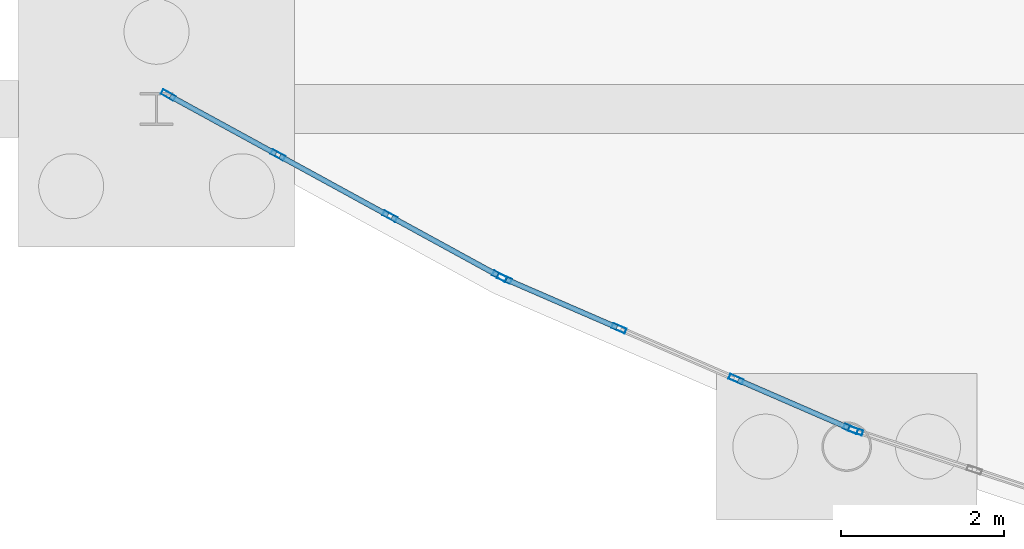
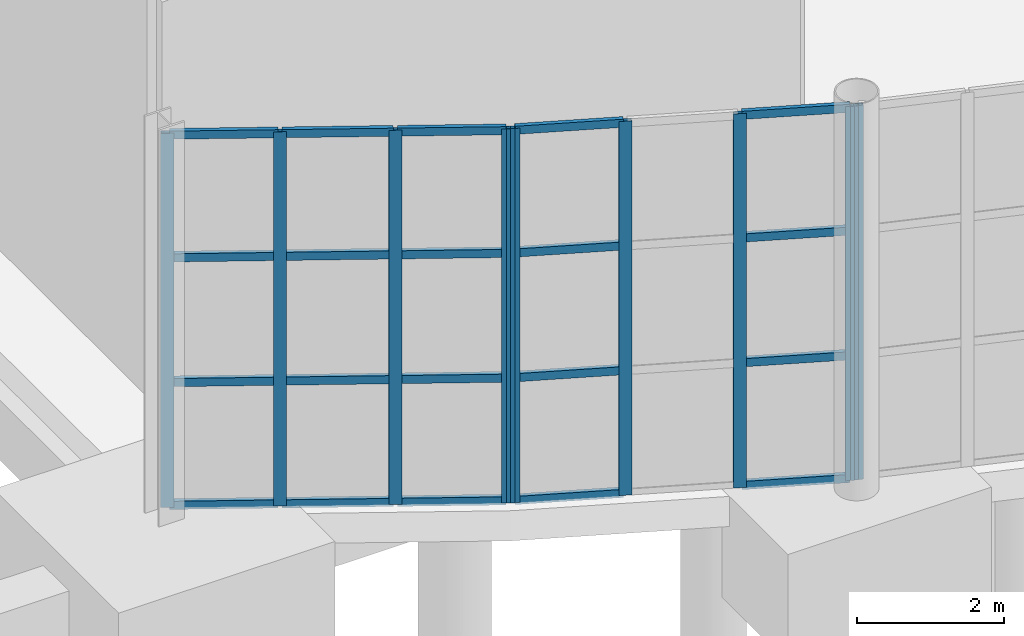
# One storey, part 40 of 115: 29 members, 3 elements without a shape of their own.
"""IFC4 building model written with IfcOpenShell, lengths in metres."""

from ifc_helpers import new_model, si_unit, direction, frame, origin, origin_2d, place, context, subcontext, project, spatial, hollow_rectangle, extrude, material, layer, layer_set, material_profile, profile_set, type_object, element, aggregate, save


model = new_model("IFC4")

# Units and contexts
model_context = context("Model", 3, precision=1e-05, world=origin(), true_north=direction((0.0, 1.0)))
body_context = subcontext(model_context, "Body", "Model", "MODEL_VIEW")
ifc_project = project(units=[si_unit("LENGTHUNIT", "METRE"), si_unit("AREAUNIT", "SQUARE_METRE"), si_unit("VOLUMEUNIT", "CUBIC_METRE"), si_unit("PLANEANGLEUNIT", "RADIAN"), si_unit("MASSUNIT", "GRAM", prefix="KILO")], contexts=[model_context])

# Site, building, storey
site_placement = place(None, origin())
site = spatial("IfcSite", under=ifc_project, at=site_placement, CompositionType="ELEMENT")
building_placement = place(site_placement, origin())
building = spatial("IfcBuilding", under=site, at=building_placement, Name="Tamarisk Ironworks Central Station", CompositionType="ELEMENT")
storey_placement = place(building_placement, origin())
storey = spatial("IfcBuildingStorey", under=building, at=storey_placement, Name="L00", CompositionType="ELEMENT", Elevation=0.0)

# Curtain wall, members
ifc_material = material(Name="Anodized aluminium alloy 6063-T6", Category="aluminium")
ifc_layer = layer(ifc_material, 0.179931640625)
ifc_layer_set = layer_set([ifc_layer], Name="Anodized aluminium alloy 6063-T6")
curtain_wall_type = type_object("IfcCurtainWallType", Name="CW-01", PredefinedType="USERDEFINED", material=ifc_layer_set)
curtain_wall_1_placement = place(storey_placement, origin())
curtain_wall_1 = element("IfcCurtainWall", 1, at=curtain_wall_1_placement, inside=storey, type_object=curtain_wall_type, Name="SN rounded entrance hall L00 curtain wall bay 01", ObjectType="GLAZED CURTAIN WALL", PredefinedType="USERDEFINED")
ifc_material_profile_1 = material_profile(ifc_material, hollow_rectangle(XDim=0.06494140625, YDim=0.179931640625, WallThickness=0.00390625, at=origin_2d()), Name="ALUM 180x65")
ifc_profile_set_1 = profile_set([ifc_material_profile_1], Name="Anodized aluminium alloy 6063-T6")
member_type_1 = type_object("IfcMemberType", Name="CWM-02", PredefinedType="MULLION", material=ifc_profile_set_1)
member_1_placement = place(storey_placement, frame((54.144287109375, 10.971435546875, 0.0), z_axis=(0.0, 0.0, 1.0), x_axis=(0.47980544644, 0.877374910495, 0.0)))
member_1 = element("IfcMember", 2, at=member_1_placement, type_object=member_type_1, Name="CW01 mullion 1", PredefinedType="MULLION", context=body_context, shape_type="SweptSolid", body=[
    extrude(hollow_rectangle(XDim=0.06494140625, YDim=0.179931640625, WallThickness=0.00390625, at=origin_2d()), origin(), (0.0, 0.0, 1.0), 6.219970703125),
])
member_2_placement = place(storey_placement, frame((55.4931640625, 10.23388671875, 0.0), z_axis=(0.0, 0.0, 1.0), x_axis=(0.47980544644, 0.877374910495, 0.0)))
member_2 = element("IfcMember", 3, at=member_2_placement, type_object=member_type_1, Name="CW01 mullion 2", PredefinedType="MULLION", context=body_context, shape_type="SweptSolid", body=[
    extrude(hollow_rectangle(XDim=0.06494140625, YDim=0.179931640625, WallThickness=0.00390625, at=origin_2d()), origin(), (0.0, 0.0, 1.0), 6.219970703125),
])
member_3_placement = place(storey_placement, frame((56.870361328125, 9.480712890625, 0.0), z_axis=(0.0, 0.0, 1.0), x_axis=(0.47980544644, 0.877374910495, 0.0)))
member_3 = element("IfcMember", 4, at=member_3_placement, type_object=member_type_1, Name="CW01 mullion 3", PredefinedType="MULLION", context=body_context, shape_type="SweptSolid", body=[
    extrude(hollow_rectangle(XDim=0.06494140625, YDim=0.179931640625, WallThickness=0.00390625, at=origin_2d()), origin(), (0.0, 0.0, 1.0), 6.219970703125),
])
member_4_placement = place(storey_placement, frame((58.21923828125, 8.742919921875, 0.0), z_axis=(0.0, 0.0, 1.0), x_axis=(0.47980544644, 0.877374910495, 0.0)))
member_4 = element("IfcMember", 5, at=member_4_placement, type_object=member_type_1, Name="CW01 mullion 4", PredefinedType="MULLION", context=body_context, shape_type="SweptSolid", body=[
    extrude(hollow_rectangle(XDim=0.06494140625, YDim=0.179931640625, WallThickness=0.00390625, at=origin_2d()), origin(), (0.0, 0.0, 1.0), 6.219970703125),
])

curtain_wall_2_placement = place(storey_placement, origin())
curtain_wall_2 = element("IfcCurtainWall", 6, at=curtain_wall_2_placement, inside=storey, type_object=curtain_wall_type, Name="SN rounded entrance hall L00 curtain wall bay 02", ObjectType="GLAZED CURTAIN WALL", PredefinedType="USERDEFINED")
member_5_placement = place(storey_placement, frame((58.277587890625, 8.71435546875, 0.0), z_axis=(0.0, 0.0, 1.0), x_axis=(0.398076935564, 0.917352033503, 0.0)))
member_5 = element("IfcMember", 7, at=member_5_placement, type_object=member_type_1, Name="CW01 mullion 1", PredefinedType="MULLION", context=body_context, shape_type="SweptSolid", body=[
    extrude(hollow_rectangle(XDim=0.06494140625, YDim=0.179931640625, WallThickness=0.00390625, at=origin_2d()), origin(), (0.0, 0.0, 1.0), 6.219970703125),
])
member_6_placement = place(storey_placement, frame((59.68798828125, 8.1025390625, 0.0), z_axis=(0.0, 0.0, 1.0), x_axis=(0.398076935564, 0.917352033503, 0.0)))
member_6 = element("IfcMember", 8, at=member_6_placement, type_object=member_type_1, Name="CW01 mullion 2", PredefinedType="MULLION", context=body_context, shape_type="SweptSolid", body=[
    extrude(hollow_rectangle(XDim=0.06494140625, YDim=0.179931640625, WallThickness=0.00390625, at=origin_2d()), origin(), (0.0, 0.0, 1.0), 6.219970703125),
])
member_7_placement = place(storey_placement, frame((61.128173828125, 7.4775390625, 0.0), z_axis=(0.0, 0.0, 1.0), x_axis=(0.398076935564, 0.917352033503, 0.0)))
member_7 = element("IfcMember", 9, at=member_7_placement, type_object=member_type_1, Name="CW01 mullion 3", PredefinedType="MULLION", context=body_context, shape_type="SweptSolid", body=[
    extrude(hollow_rectangle(XDim=0.06494140625, YDim=0.179931640625, WallThickness=0.00390625, at=origin_2d()), origin(), (0.0, 0.0, 1.0), 6.219970703125),
])
member_8_placement = place(storey_placement, frame((62.538330078125, 6.865478515625, 0.0), z_axis=(0.0, 0.0, 1.0), x_axis=(0.398076935564, 0.917352033503, 0.0)))
member_8 = element("IfcMember", 10, at=member_8_placement, type_object=member_type_1, Name="CW01 mullion 4", PredefinedType="MULLION", context=body_context, shape_type="SweptSolid", body=[
    extrude(hollow_rectangle(XDim=0.06494140625, YDim=0.179931640625, WallThickness=0.00390625, at=origin_2d()), origin(), (0.0, 0.0, 1.0), 6.219970703125),
])

# Curtain wall, member
curtain_wall_3_placement = place(storey_placement, origin())
curtain_wall_3 = element("IfcCurtainWall", 11, at=curtain_wall_3_placement, inside=storey, type_object=curtain_wall_type, Name="SN rounded entrance hall L00 curtain wall bay 03", ObjectType="GLAZED CURTAIN WALL", PredefinedType="USERDEFINED")
member_9_placement = place(storey_placement, frame((62.59912109375, 6.842529296875, 0.0), z_axis=(0.0, 0.0, 1.0), x_axis=(0.313098460171, 0.949720671692, 0.0)))
member_9 = element("IfcMember", 12, at=member_9_placement, type_object=member_type_1, Name="CW01 mullion 1", PredefinedType="MULLION", context=body_context, shape_type="SweptSolid", body=[
    extrude(hollow_rectangle(XDim=0.06494140625, YDim=0.179931640625, WallThickness=0.00390625, at=origin_2d()), origin(), (0.0, 0.0, 1.0), 6.219970703125),
])
aggregate(curtain_wall_3, [member_9])

# Member
ifc_material_profile_2 = material_profile(ifc_material, hollow_rectangle(XDim=0.06494140625, YDim=0.135009765625, WallThickness=0.00341796875, at=origin_2d()), Name="ALUM 135x65")
ifc_profile_set_2 = profile_set([ifc_material_profile_2], Name="Anodized aluminium alloy 6063-T6")
member_type_2 = type_object("IfcMemberType", Name="CWT-02", PredefinedType="USERDEFINED", material=ifc_profile_set_2)
member_10_placement = place(storey_placement, frame((54.169189453125, 10.957763671875, 0.032470703125), z_axis=(0.877397174043, -0.479764732949, 0.0), x_axis=(0.479764732949, 0.877397174043, 0.0)))
member_10 = element("IfcMember", 13, at=member_10_placement, type_object=member_type_2, Name="CW01 transom 1.1", ObjectType="TRANSOM", PredefinedType="USERDEFINED", context=body_context, shape_type="SweptSolid", body=[
    extrude(hollow_rectangle(XDim=0.06494140625, YDim=0.135009765625, WallThickness=0.00341796875, at=origin_2d()), origin(), (0.0, 0.0, 1.0), 1.480224609375),
])

member_11_placement = place(storey_placement, frame((54.169189453125, 10.957763671875, 2.0732421875), z_axis=(0.877397174043, -0.479764732949, 0.0), x_axis=(0.479764732949, 0.877397174043, 0.0)))
member_11 = element("IfcMember", 14, at=member_11_placement, type_object=member_type_2, Name="CW01 transom 1.2", ObjectType="TRANSOM", PredefinedType="USERDEFINED", context=body_context, shape_type="SweptSolid", body=[
    extrude(hollow_rectangle(XDim=0.06494140625, YDim=0.135009765625, WallThickness=0.00341796875, at=origin_2d()), origin(), (0.0, 0.0, 1.0), 1.480224609375),
])

member_12_placement = place(storey_placement, frame((54.169189453125, 10.957763671875, 4.146728515625), z_axis=(0.877397174043, -0.479764732949, 0.0), x_axis=(0.479764732949, 0.877397174043, 0.0)))
member_12 = element("IfcMember", 15, at=member_12_placement, type_object=member_type_2, Name="CW01 transom 1.3", ObjectType="TRANSOM", PredefinedType="USERDEFINED", context=body_context, shape_type="SweptSolid", body=[
    extrude(hollow_rectangle(XDim=0.06494140625, YDim=0.135009765625, WallThickness=0.00341796875, at=origin_2d()), origin(), (0.0, 0.0, 1.0), 1.480224609375),
])

member_13_placement = place(storey_placement, frame((54.169189453125, 10.957763671875, 6.1875), z_axis=(0.877397174043, -0.479764732949, 0.0), x_axis=(0.479764732949, 0.877397174043, 0.0)))
member_13 = element("IfcMember", 16, at=member_13_placement, type_object=member_type_2, Name="CW01 transom 1.4", ObjectType="TRANSOM", PredefinedType="USERDEFINED", context=body_context, shape_type="SweptSolid", body=[
    extrude(hollow_rectangle(XDim=0.06494140625, YDim=0.135009765625, WallThickness=0.00341796875, at=origin_2d()), origin(), (0.0, 0.0, 1.0), 1.480224609375),
])

member_14_placement = place(storey_placement, frame((55.51806640625, 10.22021484375, 0.032470703125), z_axis=(0.877395552404, -0.479767698602, 0.0), x_axis=(0.479767698602, 0.877395552404, 0.0)))
member_14 = element("IfcMember", 17, at=member_14_placement, type_object=member_type_2, Name="CW01 transom 2.1", ObjectType="TRANSOM", PredefinedType="USERDEFINED", context=body_context, shape_type="SweptSolid", body=[
    extrude(hollow_rectangle(XDim=0.06494140625, YDim=0.135009765625, WallThickness=0.00341796875, at=origin_2d()), origin(), (0.0, 0.0, 1.0), 1.512939453125),
])

member_15_placement = place(storey_placement, frame((55.51806640625, 10.22021484375, 2.0732421875), z_axis=(0.877395552404, -0.479767698602, 0.0), x_axis=(0.479767698602, 0.877395552404, 0.0)))
member_15 = element("IfcMember", 18, at=member_15_placement, type_object=member_type_2, Name="CW01 transom 2.2", ObjectType="TRANSOM", PredefinedType="USERDEFINED", context=body_context, shape_type="SweptSolid", body=[
    extrude(hollow_rectangle(XDim=0.06494140625, YDim=0.135009765625, WallThickness=0.00341796875, at=origin_2d()), origin(), (0.0, 0.0, 1.0), 1.512939453125),
])

member_16_placement = place(storey_placement, frame((55.51806640625, 10.22021484375, 4.146728515625), z_axis=(0.877395552404, -0.479767698602, 0.0), x_axis=(0.479767698602, 0.877395552404, 0.0)))
member_16 = element("IfcMember", 19, at=member_16_placement, type_object=member_type_2, Name="CW01 transom 2.3", ObjectType="TRANSOM", PredefinedType="USERDEFINED", context=body_context, shape_type="SweptSolid", body=[
    extrude(hollow_rectangle(XDim=0.06494140625, YDim=0.135009765625, WallThickness=0.00341796875, at=origin_2d()), origin(), (0.0, 0.0, 1.0), 1.512939453125),
])

member_17_placement = place(storey_placement, frame((55.51806640625, 10.22021484375, 6.1875), z_axis=(0.877395552404, -0.479767698602, 0.0), x_axis=(0.479767698602, 0.877395552404, 0.0)))
member_17 = element("IfcMember", 20, at=member_17_placement, type_object=member_type_2, Name="CW01 transom 2.4", ObjectType="TRANSOM", PredefinedType="USERDEFINED", context=body_context, shape_type="SweptSolid", body=[
    extrude(hollow_rectangle(XDim=0.06494140625, YDim=0.135009765625, WallThickness=0.00341796875, at=origin_2d()), origin(), (0.0, 0.0, 1.0), 1.512939453125),
])

member_18_placement = place(storey_placement, frame((56.8955078125, 9.467041015625, 0.032470703125), z_axis=(0.877327746429, -0.479891680847, 0.0), x_axis=(0.479891680847, 0.877327746429, 0.0)))
member_18 = element("IfcMember", 21, at=member_18_placement, type_object=member_type_2, Name="CW01 transom 3.1", ObjectType="TRANSOM", PredefinedType="USERDEFINED", context=body_context, shape_type="SweptSolid", body=[
    extrude(hollow_rectangle(XDim=0.06494140625, YDim=0.135009765625, WallThickness=0.00341796875, at=origin_2d()), origin(), (0.0, 0.0, 1.0), 1.48046875),
])

member_19_placement = place(storey_placement, frame((56.8955078125, 9.467041015625, 2.0732421875), z_axis=(0.877327746429, -0.479891680847, 0.0), x_axis=(0.479891680847, 0.877327746429, 0.0)))
member_19 = element("IfcMember", 22, at=member_19_placement, type_object=member_type_2, Name="CW01 transom 3.2", ObjectType="TRANSOM", PredefinedType="USERDEFINED", context=body_context, shape_type="SweptSolid", body=[
    extrude(hollow_rectangle(XDim=0.06494140625, YDim=0.135009765625, WallThickness=0.00341796875, at=origin_2d()), origin(), (0.0, 0.0, 1.0), 1.48046875),
])

member_20_placement = place(storey_placement, frame((56.8955078125, 9.467041015625, 4.146728515625), z_axis=(0.877327746429, -0.479891680847, 0.0), x_axis=(0.479891680847, 0.877327746429, 0.0)))
member_20 = element("IfcMember", 23, at=member_20_placement, type_object=member_type_2, Name="CW01 transom 3.3", ObjectType="TRANSOM", PredefinedType="USERDEFINED", context=body_context, shape_type="SweptSolid", body=[
    extrude(hollow_rectangle(XDim=0.06494140625, YDim=0.135009765625, WallThickness=0.00341796875, at=origin_2d()), origin(), (0.0, 0.0, 1.0), 1.48046875),
])

member_21_placement = place(storey_placement, frame((56.8955078125, 9.467041015625, 6.1875), z_axis=(0.877327746429, -0.479891680847, 0.0), x_axis=(0.479891680847, 0.877327746429, 0.0)))
member_21 = element("IfcMember", 24, at=member_21_placement, type_object=member_type_2, Name="CW01 transom 3.4", ObjectType="TRANSOM", PredefinedType="USERDEFINED", context=body_context, shape_type="SweptSolid", body=[
    extrude(hollow_rectangle(XDim=0.06494140625, YDim=0.135009765625, WallThickness=0.00341796875, at=origin_2d()), origin(), (0.0, 0.0, 1.0), 1.48046875),
])

aggregate(curtain_wall_1, [member_1, member_2, member_3, member_4, member_10, member_11, member_12, member_13, member_14, member_15, member_16, member_17, member_18, member_19, member_20, member_21])

member_22_placement = place(storey_placement, frame((58.3037109375, 8.703125, 0.032470703125), z_axis=(0.917352964572, -0.398074789947, 0.0), x_axis=(0.398074789947, 0.917352964572, 0.0)))
member_22 = element("IfcMember", 25, at=member_22_placement, type_object=member_type_2, Name="CW01 transom 1.1", ObjectType="TRANSOM", PredefinedType="USERDEFINED", context=body_context, shape_type="SweptSolid", body=[
    extrude(hollow_rectangle(XDim=0.06494140625, YDim=0.135009765625, WallThickness=0.00341796875, at=origin_2d()), origin(), (0.0, 0.0, 1.0), 1.48046875),
])

member_23_placement = place(storey_placement, frame((58.3037109375, 8.703125, 2.0732421875), z_axis=(0.917352964572, -0.398074789947, 0.0), x_axis=(0.398074789947, 0.917352964572, 0.0)))
member_23 = element("IfcMember", 26, at=member_23_placement, type_object=member_type_2, Name="CW01 transom 1.2", ObjectType="TRANSOM", PredefinedType="USERDEFINED", context=body_context, shape_type="SweptSolid", body=[
    extrude(hollow_rectangle(XDim=0.06494140625, YDim=0.135009765625, WallThickness=0.00341796875, at=origin_2d()), origin(), (0.0, 0.0, 1.0), 1.48046875),
])

member_24_placement = place(storey_placement, frame((58.3037109375, 8.703125, 4.146728515625), z_axis=(0.917352964572, -0.398074789947, 0.0), x_axis=(0.398074789947, 0.917352964572, 0.0)))
member_24 = element("IfcMember", 27, at=member_24_placement, type_object=member_type_2, Name="CW01 transom 1.3", ObjectType="TRANSOM", PredefinedType="USERDEFINED", context=body_context, shape_type="SweptSolid", body=[
    extrude(hollow_rectangle(XDim=0.06494140625, YDim=0.135009765625, WallThickness=0.00341796875, at=origin_2d()), origin(), (0.0, 0.0, 1.0), 1.48046875),
])

member_25_placement = place(storey_placement, frame((58.3037109375, 8.703125, 6.1875), z_axis=(0.917352964572, -0.398074789947, 0.0), x_axis=(0.398074789947, 0.917352964572, 0.0)))
member_25 = element("IfcMember", 28, at=member_25_placement, type_object=member_type_2, Name="CW01 transom 1.4", ObjectType="TRANSOM", PredefinedType="USERDEFINED", context=body_context, shape_type="SweptSolid", body=[
    extrude(hollow_rectangle(XDim=0.06494140625, YDim=0.135009765625, WallThickness=0.00341796875, at=origin_2d()), origin(), (0.0, 0.0, 1.0), 1.48046875),
])

member_26_placement = place(storey_placement, frame((61.154296875, 7.46630859375, 0.032470703125), z_axis=(0.917326827597, -0.398135016508, 0.0), x_axis=(0.398135016508, 0.917326827597, 0.0)))
member_26 = element("IfcMember", 29, at=member_26_placement, type_object=member_type_2, Name="CW01 transom 3.1", ObjectType="TRANSOM", PredefinedType="USERDEFINED", context=body_context, shape_type="SweptSolid", body=[
    extrude(hollow_rectangle(XDim=0.06494140625, YDim=0.135009765625, WallThickness=0.00341796875, at=origin_2d()), origin(), (0.0, 0.0, 1.0), 1.480224609375),
])

member_27_placement = place(storey_placement, frame((61.154296875, 7.46630859375, 2.0732421875), z_axis=(0.917326827597, -0.398135016508, 0.0), x_axis=(0.398135016508, 0.917326827597, 0.0)))
member_27 = element("IfcMember", 30, at=member_27_placement, type_object=member_type_2, Name="CW01 transom 3.2", ObjectType="TRANSOM", PredefinedType="USERDEFINED", context=body_context, shape_type="SweptSolid", body=[
    extrude(hollow_rectangle(XDim=0.06494140625, YDim=0.135009765625, WallThickness=0.00341796875, at=origin_2d()), origin(), (0.0, 0.0, 1.0), 1.480224609375),
])

member_28_placement = place(storey_placement, frame((61.154296875, 7.46630859375, 4.146728515625), z_axis=(0.917326827597, -0.398135016508, 0.0), x_axis=(0.398135016508, 0.917326827597, 0.0)))
member_28 = element("IfcMember", 31, at=member_28_placement, type_object=member_type_2, Name="CW01 transom 3.3", ObjectType="TRANSOM", PredefinedType="USERDEFINED", context=body_context, shape_type="SweptSolid", body=[
    extrude(hollow_rectangle(XDim=0.06494140625, YDim=0.135009765625, WallThickness=0.00341796875, at=origin_2d()), origin(), (0.0, 0.0, 1.0), 1.480224609375),
])

member_29_placement = place(storey_placement, frame((61.154296875, 7.46630859375, 6.1875), z_axis=(0.917326827597, -0.398135016508, 0.0), x_axis=(0.398135016508, 0.917326827597, 0.0)))
member_29 = element("IfcMember", 32, at=member_29_placement, type_object=member_type_2, Name="CW01 transom 3.4", ObjectType="TRANSOM", PredefinedType="USERDEFINED", context=body_context, shape_type="SweptSolid", body=[
    extrude(hollow_rectangle(XDim=0.06494140625, YDim=0.135009765625, WallThickness=0.00341796875, at=origin_2d()), origin(), (0.0, 0.0, 1.0), 1.480224609375),
])

aggregate(curtain_wall_2, [member_5, member_6, member_7, member_8, member_22, member_23, member_24, member_25, member_26, member_27, member_28, member_29])

save(model, "model.ifc")
